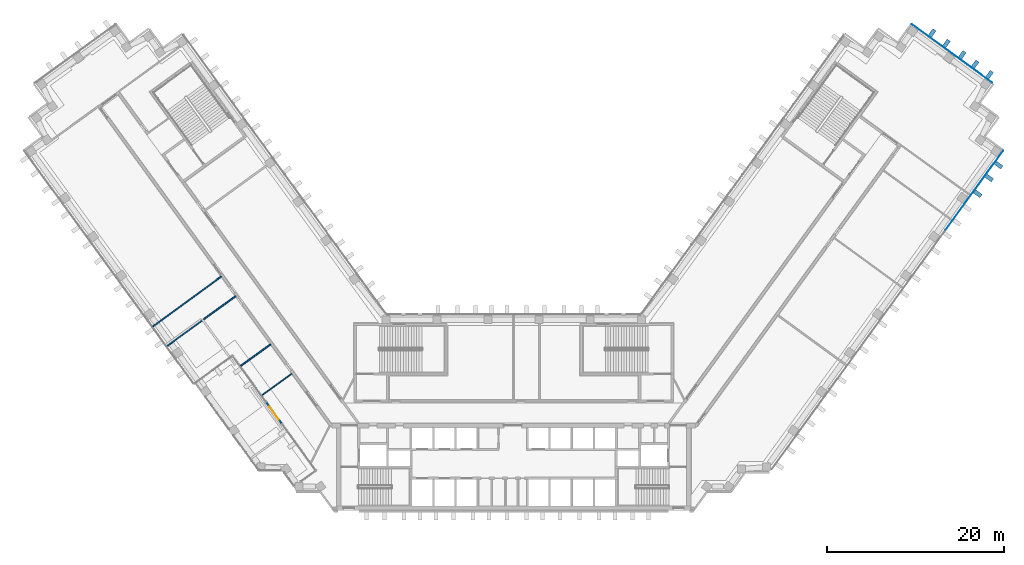
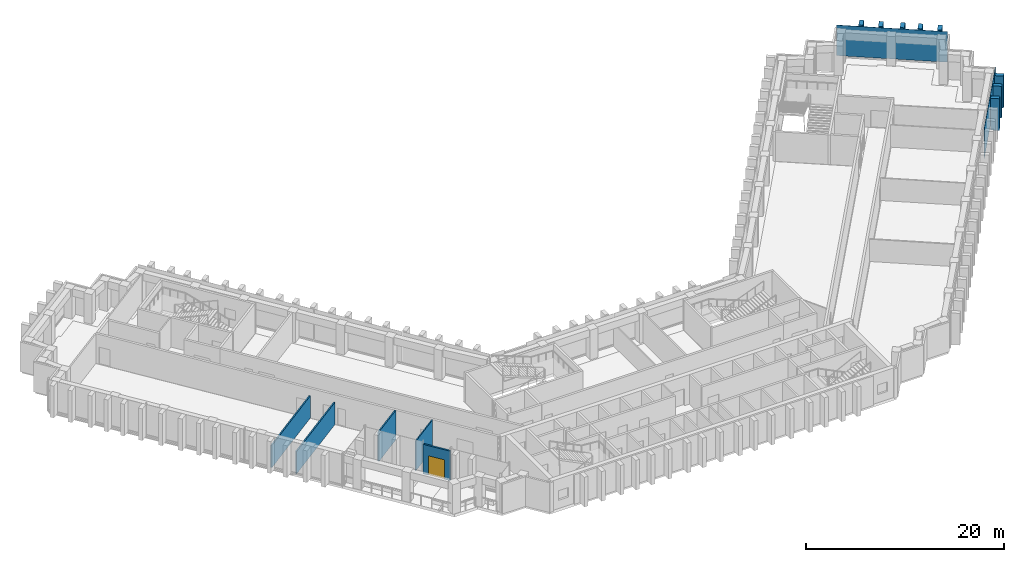
"""IFC4 building model written with IfcOpenShell, lengths in metres."""

from ifc_helpers import new_model, si_unit, direction, frame, frame_2d, origin, origin_2d, place, context, subcontext, project, spatial, rectangle, extrude, material, layer, layer_set, type_object, element, fill, aggregate, save


model = new_model("IFC4")

# Units and contexts
model_context = context("Model", 3, precision=1e-05, world=origin(), true_north=direction((0.0, 1.0)))
body_context = subcontext(model_context, "Body", "Model", "MODEL_VIEW")
ifc_project = project(units=[si_unit("LENGTHUNIT", "METRE"), si_unit("AREAUNIT", "SQUARE_METRE"), si_unit("VOLUMEUNIT", "CUBIC_METRE"), si_unit("PLANEANGLEUNIT", "RADIAN"), si_unit("MASSUNIT", "GRAM", prefix="KILO")], contexts=[model_context])

# Site, building, storey
site_placement = place(None, origin())
site = spatial("IfcSite", under=ifc_project, at=site_placement, CompositionType="ELEMENT")
building_placement = place(site_placement, origin())
building = spatial("IfcBuilding", under=site, at=building_placement, Name="Quipu Civic Tower", CompositionType="ELEMENT")
storey_1_placement = place(building_placement, frame((0.0, 0.0, 59.0)))
storey_1 = spatial("IfcBuildingStorey", under=building, at=storey_1_placement, Name="L13", CompositionType="ELEMENT", Elevation=59.0)

# Curtain wall
ifc_material_1 = material(Name="Insulated glass unit", Category="glass")
curtain_wall_type = type_object("IfcCurtainWallType", Name="Office curtain wall CW1", PredefinedType="NOTDEFINED", material=ifc_material_1)
curtain_wall_1_placement = place(storey_1_placement, origin())
curtain_wall_1 = element("IfcCurtainWall", 1, at=curtain_wall_1_placement, inside=storey_1, type_object=curtain_wall_type, Name="Office curtain wall CW1 L12 run 26", PredefinedType="NOTDEFINED")

# Storey
storey_2_placement = place(building_placement, frame((0.0, 0.0, 63.0)))
storey_2 = spatial("IfcBuildingStorey", under=building, at=storey_2_placement, Name="L14", CompositionType="ELEMENT", Elevation=63.0)

# Plate
ifc_material_2 = material(Name="Insulated glass unit", Category="glass")
ifc_layer_1 = layer(ifc_material_2, 0.028076171875)
ifc_layer_set_1 = layer_set([ifc_layer_1], Name="Insulated glass unit")
plate_type_1 = type_object("IfcPlateType", Name="Glass panel CW1", PredefinedType="CURTAIN_PANEL", material=ifc_layer_set_1)
plate_1_placement = place(storey_2_placement, frame((51.967529296875, 25.114990234375, 0.16015625), z_axis=(0.0, 0.0, 1.0), x_axis=(0.587785559869, 0.809016770908, 0.0)))
plate_1 = element("IfcPlate", 2, at=plate_1_placement, inside=storey_2, type_object=plate_type_1, Name="CW1 panel 4.3", PredefinedType="CURTAIN_PANEL", context=body_context, shape_type="SweptSolid", body=[
    extrude(rectangle(XDim=11.022705078125, YDim=0.028076171875, at=origin_2d()), origin(), (0.0, 0.0, 1.0), 3.760009765625),
])

aggregate(curtain_wall_1, [plate_1])

# Curtain wall, plate
curtain_wall_2_placement = place(storey_1_placement, origin())
curtain_wall_2 = element("IfcCurtainWall", 3, at=curtain_wall_2_placement, inside=storey_1, type_object=curtain_wall_type, Name="Office curtain wall CW1 L12 run 31", PredefinedType="NOTDEFINED")
plate_2_placement = place(storey_2_placement, frame((49.447998046875, 40.53173828125, 0.16015625), z_axis=(0.0, 0.0, 1.0), x_axis=(-0.809019348124, 0.587782012621, 0.0)))
plate_2 = element("IfcPlate", 4, at=plate_2_placement, inside=storey_2, type_object=plate_type_1, Name="CW1 panel 1.3", PredefinedType="CURTAIN_PANEL", context=body_context, shape_type="SweptSolid", body=[
    extrude(rectangle(XDim=11.239990234375, YDim=0.028076171875, at=origin_2d()), origin(), (0.0, 0.0, 1.0), 3.760009765625),
])
aggregate(curtain_wall_2, [plate_2])

# Plates
ifc_material_3 = material(Name="Precast concrete C40/50", Category="concrete")
plate_type_2 = type_object("IfcPlateType", Name="Precast fin F1", PredefinedType="SHEET", material=ifc_material_3)
for number, where, z_axis, x_axis, name in (
    (5, (52.350830078125, 24.706787109375, 0.080078125), (0.0, 0.0, 1.0), (0.587785716149, 0.809016657363, 0.0), "Precast fin F1 L14.P18.20"),
    (6, (53.643798828125, 26.48681640625, 0.080078125), (0.0, 0.0, 1.0), (0.587785716149, 0.809016657363, 0.0), "Precast fin F1 L14.P18.21"),
    (7, (54.701904296875, 27.94287109375, 0.080078125), (0.0, 0.0, 1.0), (0.587785716149, 0.809016657363, 0.0), "Precast fin F1 L14.P18.22"),
    (8, (53.6748046875, 38.140625, 0.080078125), (0.0, 0.0, 1.0), (-0.809021318545, 0.587779300537, 0.0), "Precast fin F1 L14.P23.1"),
    (9, (52.056884765625, 39.316162109375, 0.080078125), (0.0, 0.0, 1.0), (-0.809021318545, 0.587779300537, 0.0), "Precast fin F1 L14.P23.2"),
    (10, (50.6005859375, 40.374267578125, 0.080078125), (0.0, 0.0, 1.0), (-0.809021318545, 0.587779300537, 0.0), "Precast fin F1 L14.P23.3"),
    (11, (48.82080078125, 41.66748046875, 0.080078125), (0.0, 0.0, 1.0), (-0.809021318545, 0.587779300537, 0.0), "Precast fin F1 L14.P23.4"),
    (12, (47.20263671875, 42.843017578125, 0.080078125), (0.0, 0.0, 1.0), (-0.809021318545, 0.587779300537, 0.0), "Precast fin F1 L14.P23.5"),
):
    element("IfcPlate", number, at=place(storey_2_placement, frame(where, z_axis=z_axis, x_axis=x_axis)), inside=storey_2, type_object=plate_type_2, Name=name, PredefinedType="SHEET", context=body_context, shape_type="SweptSolid", body=[
        extrude(rectangle(XDim=0.449951171875, YDim=0.89990234375, at=origin_2d()), origin(), (0.0, 0.0, 1.0), 3.919921875),
    ])

# Walls
ifc_material_4 = material(Name="Double gypsum plasterboard with mineral wool")
ifc_layer_2 = layer(ifc_material_4, 0.14990234375)
ifc_layer_set_2 = layer_set([ifc_layer_2], Name="Double gypsum plasterboard with mineral wool")
wall_type_1 = type_object("IfcWallType", Name="Acoustic partition 150 plasterboard", PredefinedType="PARTITIONING", material=ifc_layer_set_2)
wall_1_placement = place(storey_2_placement, frame((-40.68017578125, 9.74951171875, 0.0), z_axis=(0.0, 0.0, 1.0), x_axis=(0.807645841498, 0.589667868135, 0.0)))
element("IfcWall", 13, at=wall_1_placement, inside=storey_2, type_object=wall_type_1, Name="Partition P09", PredefinedType="PARTITIONING", context=body_context, shape_type="SweptSolid", body=[
    extrude(rectangle(XDim=9.550537109375, YDim=0.14990234375, at=frame_2d((4.775390625, 0.0))), origin(), (0.0, 0.0, 1.0), 2.75),
])
wall_2_placement = place(storey_2_placement, frame((-31.356201171875, 13.163818359375, 0.0), z_axis=(0.0, 0.0, 1.0), x_axis=(-0.809102944047, -0.587666934526, 0.0)))
element("IfcWall", 14, at=wall_2_placement, inside=storey_2, type_object=wall_type_1, Name="Partition P10", PredefinedType="PARTITIONING", context=body_context, shape_type="SweptSolid", body=[
    extrude(rectangle(XDim=9.550048828125, YDim=0.14990234375, at=frame_2d((4.77490234375, 0.0))), origin(), (0.0, 0.0, 1.0), 2.75),
])
wall_3_placement = place(storey_2_placement, frame((-30.77001953125, 5.29638671875, 0.0), z_axis=(0.0, 0.0, 1.0), x_axis=(0.80906417205, 0.587720312313, 0.0)))
element("IfcWall", 15, at=wall_3_placement, inside=storey_2, type_object=wall_type_1, Name="Partition P11", PredefinedType="PARTITIONING", context=body_context, shape_type="SweptSolid", body=[
    extrude(rectangle(XDim=4.1494140625, YDim=0.14990234375, at=frame_2d((2.07470703125, 0.0))), origin(), (0.0, 0.0, 1.0), 3.64990234375),
])
ifc_material_5 = material(Name="Gypsum plasterboard on light gauge framing")
ifc_layer_3 = layer(ifc_material_5, 0.1201171875)
ifc_layer_set_3 = layer_set([ifc_layer_3], Name="Gypsum plasterboard on light gauge framing")
wall_type_2 = type_object("IfcWallType", Name="Partition 120 plasterboard", PredefinedType="PARTITIONING", material=ifc_layer_set_3)
wall_4_placement = place(storey_2_placement, frame((-25.00830078125, 4.4267578125, 0.0), z_axis=(0.0, 0.0, 1.0), x_axis=(-0.809020893444, -0.587779885646, 0.0)))
element("IfcWall", 16, at=wall_4_placement, inside=storey_2, type_object=wall_type_2, Name="Partition P12", PredefinedType="PARTITIONING", context=body_context, shape_type="SweptSolid", body=[
    extrude(rectangle(XDim=4.150390625, YDim=0.1201171875, at=frame_2d((2.0751953125, 0.0))), origin(), (0.0, 0.0, 1.0), 3.64990234375),
])

# Wall, opening, door
ifc_material_6 = material(Name="Precast concrete C40/50", Category="concrete")
wall_type_3 = type_object("IfcWallType", Name="Precast door surround", PredefinedType="SOLIDWALL", material=ifc_material_6)
wall_5_placement = place(storey_2_placement, frame((-26.150146484375, -1.232421875, 0.0), z_axis=(0.0, 0.0, 1.0), x_axis=(-0.58782869016, 0.808985433135, 0.0)))
wall_5 = element("IfcWall", 17, at=wall_5_placement, inside=storey_2, type_object=wall_type_3, Name="Door surround ED-L14-1", PredefinedType="SOLIDWALL", context=body_context, shape_type="SweptSolid", body=[
    extrude(rectangle(XDim=2.962890625, YDim=0.199951171875, at=frame_2d((1.4814453125, 0.0))), origin(), (0.0, 0.0, 1.0), 3.64990234375),
])
opening_placement = place(wall_5_placement, frame((0.58154296875, 0.0, 0.0)))
opening = element("IfcOpeningElement", 18, at=opening_placement, cuts=wall_5, Name="Opening ED-L14-1", PredefinedType="OPENING", context=body_context, shape_type="SweptSolid", body=[
    extrude(rectangle(XDim=1.800048828125, YDim=2.39990234375, at=frame_2d((0.89990234375, 1.199951171875))), frame((0.0, 0.10986328125, 0.0), z_axis=(0.0, -1.0, 0.0), x_axis=(1.0, 0.0, 0.0)), (0.0, 0.0, 1.0), 0.219970703125),
])
ifc_material_7 = material(Name="Aluminium framed glazed door", Category="aluminium")
door_type = type_object("IfcDoorType", Name="Terrace door E3", OperationType="DOUBLE_DOOR_SINGLE_SWING", PredefinedType="DOOR", material=ifc_material_7)
door_placement = place(opening_placement, origin())
door = element("IfcDoor", 19, at=door_placement, inside=storey_2, type_object=door_type, Name="E3 door ED-L14-1", OperationType="DOUBLE_DOOR_SINGLE_SWING", OverallHeight=2.39990234375, OverallWidth=1.800048828125, PredefinedType="DOOR", context=body_context, shape_type="SweptSolid", body=[
    extrude(rectangle(XDim=1.800048828125, YDim=2.39990234375, at=frame_2d((0.89990234375, 1.199951171875))), frame((0.0, 0.02490234375, 0.0), z_axis=(0.0, -1.0, 0.0), x_axis=(1.0, 0.0, 0.0)), (0.0, 0.0, 1.0), 0.050048828125),
])
fill(opening, door)

save(model, "model.ifc")
